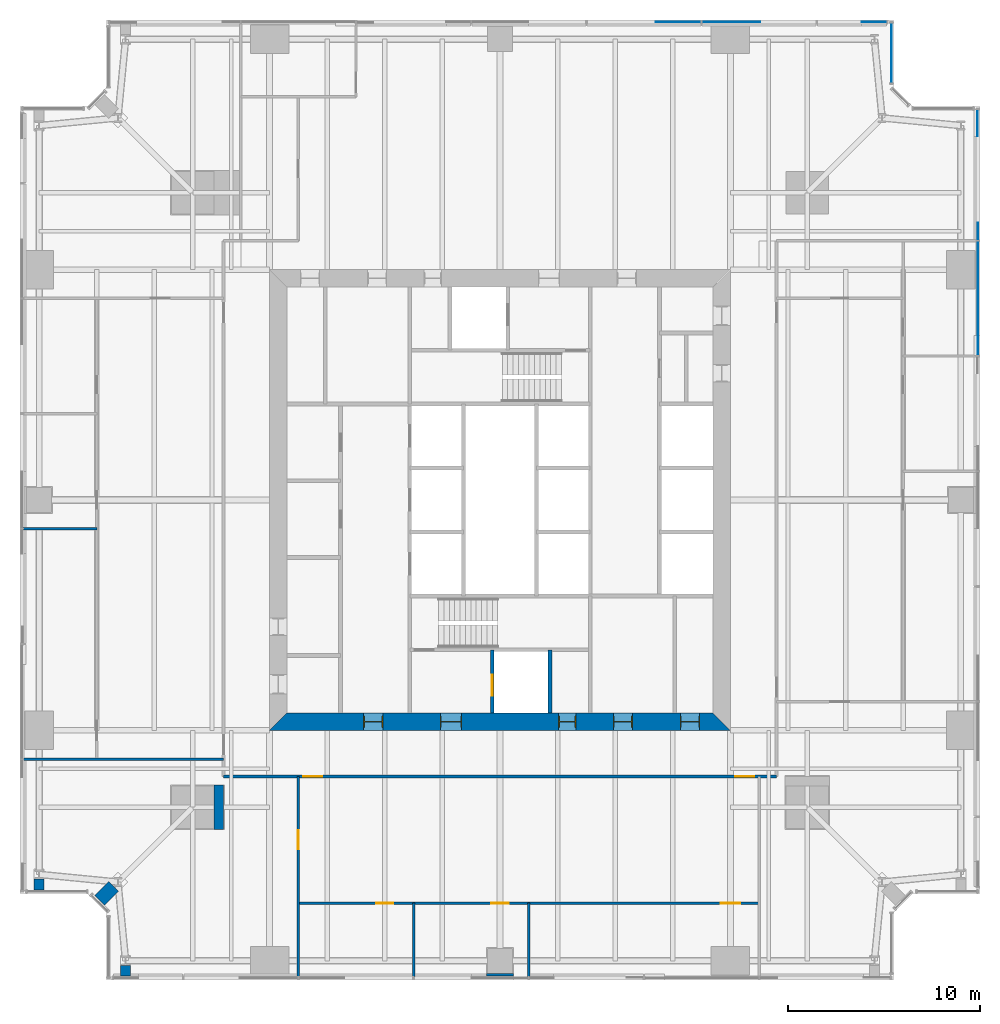
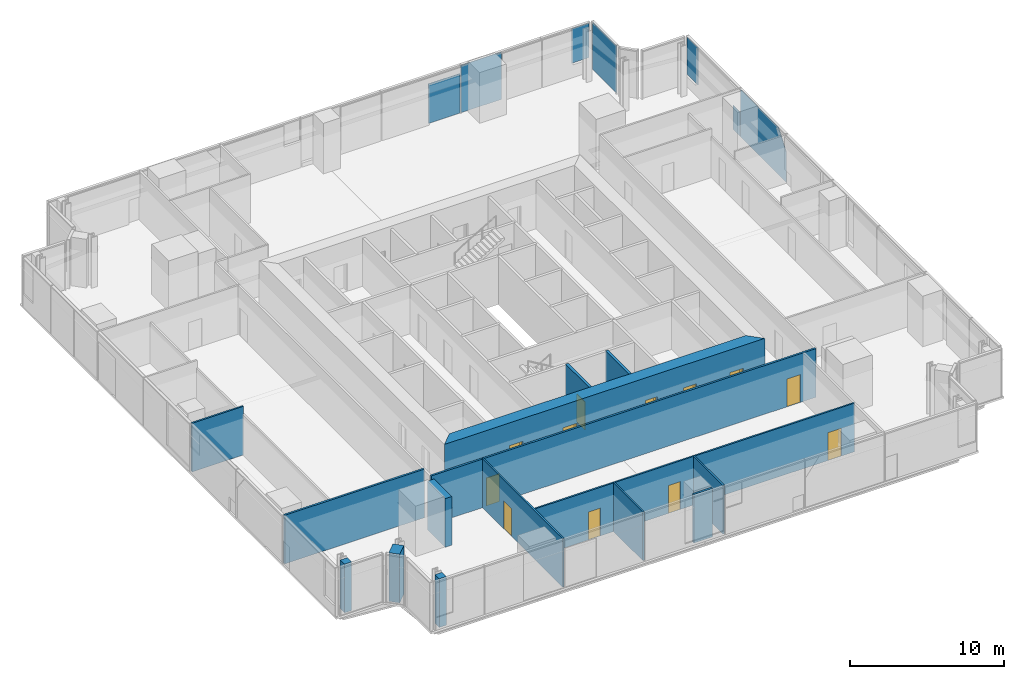
# One storey, part 9 of 14: 15 walls, 12 doors, 7 plates, 12 openings, 3 elements without a shape of their own.
"""IFC4 building model written with IfcOpenShell, lengths in metres."""

from ifc_helpers import new_model, si_unit, direction, frame, frame_2d, origin, origin_2d, place, context, subcontext, project, spatial, polyline, rectangle, outline, extrude, material, layer, layer_set, type_object, element, fill, aggregate, save


model = new_model("IFC4")

# Units and contexts
model_context = context("Model", 3, precision=1e-05, world=origin(), true_north=direction((0.0, 1.0)))
body_context = subcontext(model_context, "Body", "Model", "MODEL_VIEW")
ifc_project = project(units=[si_unit("LENGTHUNIT", "METRE"), si_unit("AREAUNIT", "SQUARE_METRE"), si_unit("VOLUMEUNIT", "CUBIC_METRE"), si_unit("PLANEANGLEUNIT", "RADIAN"), si_unit("MASSUNIT", "GRAM", prefix="KILO")], contexts=[model_context])

# Site, building, storey
site_placement = place(None, origin())
site = spatial("IfcSite", under=ifc_project, at=site_placement, CompositionType="ELEMENT")
building_placement = place(site_placement, origin())
building = spatial("IfcBuilding", under=site, at=building_placement, Name="Fenwick Lantern Interchange", CompositionType="ELEMENT")
storey_placement = place(building_placement, frame((0.0, 0.0, 150.39990234375)))
storey = spatial("IfcBuildingStorey", under=building, at=storey_placement, Name="L35", CompositionType="ELEMENT", Elevation=150.39990234375)

# Curtain wall, plates
ifc_material_1 = material(Name="Aluminium curtain wall frame", Category="aluminium")
curtain_wall_type = type_object("IfcCurtainWallType", Name="OFFICE CURTAIN WALL", PredefinedType="USERDEFINED", material=ifc_material_1)
curtain_wall_1_placement = place(storey_placement, origin())
curtain_wall_1 = element("IfcCurtainWall", 1, at=curtain_wall_1_placement, inside=storey, type_object=curtain_wall_type, Name="Office curtain wall 05", ObjectType="OFFICE CURTAIN WALL", PredefinedType="USERDEFINED")
ifc_material_2 = material(Name="Vision glass, clear low-iron double glazed", Category="glass")
ifc_layer_1 = layer(ifc_material_2, 0.031982421875)
ifc_layer_set_1 = layer_set([ifc_layer_1], Name="OFFICE CURTAIN WALL PANEL 32")
plate_type = type_object("IfcPlateType", Name="OFFICE CURTAIN WALL PANEL 32", PredefinedType="CURTAIN_PANEL", material=ifc_layer_set_1)
plate_1_placement = place(storey_placement, frame((49.89990234375, 4.60009765625, 0.0), z_axis=(0.0, 0.0, 1.0), x_axis=(0.0, 1.0, 0.0)))
plate_1 = element("IfcPlate", 2, at=plate_1_placement, type_object=plate_type, Name="L35/CW/05/P05a", PredefinedType="CURTAIN_PANEL", context=body_context, shape_type="SweptSolid", body=[
    extrude(outline(polyline([(27.9326171875, 0.0), (33.867431640625, 0.0), (33.867431640625, 3.75), (28.96826171875, 3.75), (27.9326171875, 2.37890625), (27.9326171875, 0.0)])), frame((0.0, 0.01611328125, 0.0), z_axis=(0.0, -1.0, 0.0), x_axis=(1.0, 0.0, 0.0)), (0.0, 0.0, 1.0), 0.031982421875),
])
plate_2_placement = place(storey_placement, frame((49.89990234375, 4.60009765625, 0.0), z_axis=(0.0, 0.0, 1.0), x_axis=(0.0, 1.0, 0.0)))
plate_2 = element("IfcPlate", 3, at=plate_2_placement, type_object=plate_type, Name="L35/CW/05/P06a", PredefinedType="CURTAIN_PANEL", context=body_context, shape_type="SweptSolid", body=[
    extrude(outline(polyline([(33.9326171875, 0.0), (34.83251953125, 0.0), (34.83251953125, 1.9111328125), (33.9326171875, 1.9111328125), (33.9326171875, 0.0)])), frame((0.0, 0.01611328125, 0.0), z_axis=(0.0, -1.0, 0.0), x_axis=(1.0, 0.0, 0.0)), (0.0, 0.0, 1.0), 0.031982421875),
])
plate_3_placement = place(storey_placement, frame((49.89990234375, 4.60009765625, 0.79541015625), z_axis=(0.0, 0.0, 1.0), x_axis=(0.0, 1.0, 0.0)))
plate_3 = element("IfcPlate", 4, at=plate_3_placement, type_object=plate_type, Name="L35/CW/05/P06b", PredefinedType="CURTAIN_PANEL", context=body_context, shape_type="SweptSolid", body=[
    extrude(outline(polyline([(39.34033203125, 0.0), (40.735107421875, 0.0), (40.735107421875, 2.95458984375), (39.34033203125, 2.95458984375), (39.34033203125, 0.0)])), frame((0.0, 0.0498046875, 0.0), z_axis=(0.0, -1.0, 0.0), x_axis=(1.0, 0.0, 0.0)), (0.0, 0.0, 1.0), 0.031982421875),
])
aggregate(curtain_wall_1, [plate_1, plate_2, plate_3])

# Curtain wall, plate
curtain_wall_2_placement = place(storey_placement, origin())
curtain_wall_2 = element("IfcCurtainWall", 5, at=curtain_wall_2_placement, inside=storey, type_object=curtain_wall_type, Name="Office curtain wall 08", ObjectType="OFFICE CURTAIN WALL", PredefinedType="USERDEFINED")
plate_4_placement = place(storey_placement, frame((45.39990234375, 48.279296875, 0.0), z_axis=(0.0, 0.0, 1.0), x_axis=(0.0, 1.0, 0.0)))
plate_4 = element("IfcPlate", 6, at=plate_4_placement, type_object=plate_type, Name="L35/CW/08/P00", PredefinedType="CURTAIN_PANEL", context=body_context, shape_type="SweptSolid", body=[
    extrude(rectangle(XDim=3.111328125, YDim=0.031982421875, at=origin_2d()), origin(), (0.0, 0.0, 1.0), 3.75),
])
aggregate(curtain_wall_2, [plate_4])

# Curtain wall, plates
curtain_wall_3_placement = place(storey_placement, origin())
curtain_wall_3 = element("IfcCurtainWall", 7, at=curtain_wall_3_placement, inside=storey, type_object=curtain_wall_type, Name="Office curtain wall 09", ObjectType="OFFICE CURTAIN WALL", PredefinedType="USERDEFINED")
plate_5_placement = place(storey_placement, frame((45.39990234375, 49.89990234375, 1.008056640625), z_axis=(0.0, 0.0, 1.0), x_axis=(-1.0, 0.0, 0.0)))
plate_5 = element("IfcPlate", 8, at=plate_5_placement, type_object=plate_type, Name="L35/CW/09/P00a", PredefinedType="CURTAIN_PANEL", context=body_context, shape_type="SweptSolid", body=[
    extrude(outline(polyline([(0.264892578125, 0.0), (1.56005859375, 0.0), (1.56005859375, 2.741943359375), (0.264892578125, 2.741943359375), (0.264892578125, 0.0)])), frame((0.0, 0.01611328125, 0.0), z_axis=(0.0, -1.0, 0.0), x_axis=(1.0, 0.0, 0.0)), (0.0, 0.0, 1.0), 0.031982421875),
])
plate_6_placement = place(storey_placement, frame((45.39990234375, 49.89990234375, 0.0), z_axis=(0.0, 0.0, 1.0), x_axis=(-1.0, 0.0, 0.0)))
plate_6 = element("IfcPlate", 9, at=plate_6_placement, type_object=plate_type, Name="L35/CW/09/P01a", PredefinedType="CURTAIN_PANEL", context=body_context, shape_type="SweptSolid", body=[
    extrude(outline(polyline([(6.835205078125, 0.0), (9.867431640625, 0.0), (9.867431640625, 3.7490234375), (6.835205078125, 3.7490234375), (6.835205078125, 0.0)])), frame((0.0, 0.01611328125, 0.0), z_axis=(0.0, -1.0, 0.0), x_axis=(1.0, 0.0, 0.0)), (0.0, 0.0, 1.0), 0.031982421875),
])
plate_7_placement = place(storey_placement, frame((45.39990234375, 49.89990234375, 0.0), z_axis=(0.0, 0.0, 1.0), x_axis=(-1.0, 0.0, 0.0)))
plate_7 = element("IfcPlate", 10, at=plate_7_placement, type_object=plate_type, Name="L35/CW/09/P02a", PredefinedType="CURTAIN_PANEL", context=body_context, shape_type="SweptSolid", body=[
    extrude(outline(polyline([(9.9326171875, 0.0), (12.297607421875, 0.0), (12.297607421875, 3.133544921875), (9.9326171875, 3.133544921875), (9.9326171875, 0.0)])), frame((0.0, 0.01611328125, 0.0), z_axis=(0.0, -1.0, 0.0), x_axis=(1.0, 0.0, 0.0)), (0.0, 0.0, 1.0), 0.031982421875),
])
aggregate(curtain_wall_3, [plate_5, plate_6, plate_7])

# Walls
ifc_material_3 = material(Name="Fire-rated gypsum board encasement on steel studs, 2 hour", Category="steel")
ifc_layer_2 = layer(ifc_material_3, 1.39990234375)
ifc_layer_set_2 = layer_set([ifc_layer_2], Name="COLUMN PIER 1400")
wall_type_1 = type_object("IfcWallType", Name="COLUMN PIER 1400", PredefinedType="PARTITIONING", material=ifc_layer_set_2)
wall_1_placement = place(storey_placement, frame((25.0, 0.199951171875, 0.0), z_axis=(0.0, 0.0, 1.0), x_axis=(0.0, 1.0, 0.0)))
element("IfcWall", 11, at=wall_1_placement, inside=storey, type_object=wall_type_1, Name="L35/W/PIER/CS3", PredefinedType="PARTITIONING", context=body_context, shape_type="SweptSolid", body=[
    extrude(rectangle(XDim=0.150146484375, YDim=1.39990234375, at=frame_2d((0.0751953125, 0.0))), origin(), (0.0, 0.0, 1.0), 3.85009765625),
])
ifc_layer_3 = layer(ifc_material_3, 2.300048828125)
ifc_layer_set_3 = layer_set([ifc_layer_3], Name="COLUMN PIER 2300")
wall_type_2 = type_object("IfcWallType", Name="COLUMN PIER 2300", PredefinedType="PARTITIONING", material=ifc_layer_set_3)
wall_2_placement = place(storey_placement, frame((10.60009765625, 9.0, 0.0), z_axis=(0.0, 0.0, 1.0), x_axis=(-1.0, 0.0, 0.0)))
element("IfcWall", 12, at=wall_2_placement, inside=storey, type_object=wall_type_2, Name="L35/W/PIER/M1", PredefinedType="PARTITIONING", context=body_context, shape_type="SweptSolid", body=[
    extrude(rectangle(XDim=0.5, YDim=2.300048828125, at=frame_2d((0.25, 0.0))), origin(), (0.0, 0.0, 1.0), 3.85009765625),
])
ifc_layer_4 = layer(ifc_material_3, 0.52392578125)
ifc_layer_set_4 = layer_set([ifc_layer_4], Name="COLUMN PIER 524")
wall_type_3 = type_object("IfcWallType", Name="COLUMN PIER 524", PredefinedType="PARTITIONING", material=ifc_layer_set_4)
for number, where, z_axis, x_axis, name in (
    (13, (5.5, 0.199951171875, 0.0), (0.0, 0.0, 1.0), (0.0, 1.0, 0.0), "L35/W/PIER/CS1"),
    (14, (1.0, 4.699951171875, 0.0), (0.0, 0.0, 1.0), (0.0, 1.0, 0.0), "L35/W/PIER/CW5"),
):
    element("IfcWall", number, at=place(storey_placement, frame(where, z_axis=z_axis, x_axis=x_axis)), inside=storey, type_object=wall_type_3, Name=name, PredefinedType="PARTITIONING", context=body_context, shape_type="SweptSolid", body=[
        extrude(rectangle(XDim=0.5625, YDim=0.52392578125, at=frame_2d((0.28125, 0.0))), origin(), (0.0, 0.0, 1.0), 3.85009765625),
    ])
ifc_layer_5 = layer(ifc_material_3, 0.736083984375)
ifc_layer_set_5 = layer_set([ifc_layer_5], Name="COLUMN PIER 736")
wall_type_4 = type_object("IfcWallType", Name="COLUMN PIER 736", PredefinedType="PARTITIONING", material=ifc_layer_set_5)
wall_3_placement = place(storey_placement, frame((4.141357421875, 4.141357421875, 0.0), z_axis=(0.0, 0.0, 1.0), x_axis=(0.707106781187, 0.707106781187, 0.0)))
element("IfcWall", 15, at=wall_3_placement, inside=storey, type_object=wall_type_4, Name="L35/W/PIER/CWR", PredefinedType="PARTITIONING", context=body_context, shape_type="SweptSolid", body=[
    extrude(rectangle(XDim=1.037841796875, YDim=0.736083984375, at=frame_2d((0.51904296875, 0.0))), origin(), (0.0, 0.0, 1.0), 3.85009765625),
])

# Wall, opening, door
ifc_material_4 = material(Name="Concrete masonry ASTM C90 Grade N", Category="masonry")
ifc_layer_6 = layer(ifc_material_4, 0.199951171875)
ifc_layer_set_6 = layer_set([ifc_layer_6], Name="Concrete masonry ASTM C90 Grade N")
wall_type_5 = type_object("IfcWallType", Name="CORE PARTITION 200", PredefinedType="PARTITIONING", material=ifc_layer_set_6)
wall_4_placement = place(storey_placement, frame((24.60009765625, 13.89990234375, 0.0), z_axis=(0.0, 0.0, 1.0), x_axis=(0.0, 1.0, 0.0)))
wall_4 = element("IfcWall", 16, at=wall_4_placement, inside=storey, type_object=wall_type_5, Name="L35/W/CORES/h1", PredefinedType="PARTITIONING", context=body_context, shape_type="SweptSolid", body=[
    extrude(rectangle(XDim=3.300048828125, YDim=0.199951171875, at=frame_2d((1.64990234375, 0.0))), origin(), (0.0, 0.0, 1.0), 3.800048828125),
])
opening_1_placement = place(wall_4_placement, frame((0.89990234375, 0.0, 0.0)))
opening_1 = element("IfcOpeningElement", 17, at=opening_1_placement, cuts=wall_4, Name="Opening LD-FL1", PredefinedType="OPENING", context=body_context, shape_type="SweptSolid", body=[
    extrude(rectangle(XDim=1.10009765625, YDim=2.199951171875, at=frame_2d((0.550048828125, 1.10009765625))), frame((0.0, 0.10986328125, 0.0), z_axis=(0.0, -1.0, 0.0), x_axis=(1.0, 0.0, 0.0)), (0.0, 0.0, 1.0), 0.219970703125),
])
ifc_material_5 = material(Name="Steel door and frame", Category="steel")
door_type_1 = type_object("IfcDoorType", Name="LIFT LANDING DOOR 1100 X 2200", OperationType="DOUBLE_DOOR_SLIDING", PredefinedType="DOOR", material=ifc_material_5)
door_1_placement = place(opening_1_placement, origin())
door_1 = element("IfcDoor", 18, at=door_1_placement, inside=storey, type_object=door_type_1, Name="Lift landing door FL1", OperationType="DOUBLE_DOOR_SLIDING", OverallHeight=2.199951171875, OverallWidth=1.10009765625, PredefinedType="DOOR", context=body_context, shape_type="SweptSolid", body=[
    extrude(rectangle(XDim=1.10009765625, YDim=2.199951171875, at=frame_2d((0.550048828125, 1.10009765625))), frame((0.0, 0.02490234375, 0.0), z_axis=(0.0, -1.0, 0.0), x_axis=(1.0, 0.0, 0.0)), (0.0, 0.0, 1.0), 0.050048828125),
])
fill(opening_1, door_1)

# Wall
wall_5_placement = place(storey_placement, frame((27.60009765625, 13.89990234375, 0.0), z_axis=(0.0, 0.0, 1.0), x_axis=(0.0, 1.0, 0.0)))
element("IfcWall", 19, at=wall_5_placement, inside=storey, type_object=wall_type_5, Name="L35/W/CORES/h2", PredefinedType="PARTITIONING", context=body_context, shape_type="SweptSolid", body=[
    extrude(rectangle(XDim=3.300048828125, YDim=0.199951171875, at=frame_2d((1.64990234375, 0.0))), origin(), (0.0, 0.0, 1.0), 3.800048828125),
])

# Wall, openings, doors
ifc_material_6 = material(Name="Concrete f'c 70 MPa", Category="concrete")
ifc_layer_7 = layer(ifc_material_6, 0.89990234375)
ifc_layer_set_7 = layer_set([ifc_layer_7], Name="CORE WALL 900")
wall_type_6 = type_object("IfcWallType", Name="CORE WALL 900", PredefinedType="SHEAR", material=ifc_layer_set_7)
wall_6_placement = place(storey_placement, frame((13.0, 13.449951171875, 0.0), z_axis=(0.0, 0.0, 1.0), x_axis=(1.0, 0.0, 0.0)))
wall_6 = element("IfcWall", 20, at=wall_6_placement, inside=storey, type_object=wall_type_6, Name="L35/CORE/S", PredefinedType="SHEAR", context=body_context, shape_type="SweptSolid", body=[
    extrude(outline(polyline([(0.0, -0.449951171875), (24.0, -0.449951171875), (23.10009765625, 0.449951171875), (0.89990234375, 0.449951171875), (0.0, -0.449951171875)])), origin(), (0.0, 0.0, 1.0), 4.0),
])
opening_2_placement = place(wall_6_placement, frame((4.89990234375, 0.0, 0.0)))
opening_2 = element("IfcOpeningElement", 21, at=opening_2_placement, cuts=wall_6, Name="Opening L35-D001", PredefinedType="OPENING", context=body_context, shape_type="SweptSolid", body=[
    extrude(rectangle(XDim=1.0, YDim=2.199951171875, at=frame_2d((0.5, 1.10009765625))), frame((0.0, 0.4599609375, 0.0), z_axis=(0.0, -1.0, 0.0), x_axis=(1.0, 0.0, 0.0)), (0.0, 0.0, 1.0), 0.919921875),
])
opening_3_placement = place(wall_6_placement, frame((8.89990234375, 0.0, 0.0)))
opening_3 = element("IfcOpeningElement", 22, at=opening_3_placement, cuts=wall_6, Name="Opening L35-D002", PredefinedType="OPENING", context=body_context, shape_type="SweptSolid", body=[
    extrude(rectangle(XDim=1.10009765625, YDim=2.199951171875, at=frame_2d((0.550048828125, 1.10009765625))), frame((0.0, 0.4599609375, 0.0), z_axis=(0.0, -1.0, 0.0), x_axis=(1.0, 0.0, 0.0)), (0.0, 0.0, 1.0), 0.919921875),
])
opening_4_placement = place(wall_6_placement, frame((15.050048828125, 0.0, 0.0)))
opening_4 = element("IfcOpeningElement", 23, at=opening_4_placement, cuts=wall_6, Name="Opening L35-D004", PredefinedType="OPENING", context=body_context, shape_type="SweptSolid", body=[
    extrude(rectangle(XDim=0.89990234375, YDim=2.199951171875, at=frame_2d((0.449951171875, 1.10009765625))), frame((0.0, 0.4599609375, 0.0), z_axis=(0.0, -1.0, 0.0), x_axis=(1.0, 0.0, 0.0)), (0.0, 0.0, 1.0), 0.919921875),
])
opening_5_placement = place(wall_6_placement, frame((17.89990234375, 0.0, 0.0)))
opening_5 = element("IfcOpeningElement", 24, at=opening_5_placement, cuts=wall_6, Name="Opening L35-D005", PredefinedType="OPENING", context=body_context, shape_type="SweptSolid", body=[
    extrude(rectangle(XDim=1.0, YDim=2.199951171875, at=frame_2d((0.5, 1.10009765625))), frame((0.0, 0.4599609375, 0.0), z_axis=(0.0, -1.0, 0.0), x_axis=(1.0, 0.0, 0.0)), (0.0, 0.0, 1.0), 0.919921875),
])
opening_6_placement = place(wall_6_placement, frame((21.39990234375, 0.0, 0.0)))
opening_6 = element("IfcOpeningElement", 25, at=opening_6_placement, cuts=wall_6, Name="Opening L35-D006", PredefinedType="OPENING", context=body_context, shape_type="SweptSolid", body=[
    extrude(rectangle(XDim=1.0, YDim=2.199951171875, at=frame_2d((0.5, 1.10009765625))), frame((0.0, 0.4599609375, 0.0), z_axis=(0.0, -1.0, 0.0), x_axis=(1.0, 0.0, 0.0)), (0.0, 0.0, 1.0), 0.919921875),
])
door_type_2 = type_object("IfcDoorType", Name="CORE LOBBY DOOR 1000 X 2200", OperationType="SINGLE_SWING_LEFT", PredefinedType="DOOR", material=ifc_material_5)
door_2_placement = place(opening_2_placement, origin())
door_2 = element("IfcDoor", 26, at=door_2_placement, inside=storey, type_object=door_type_2, Name="Core lobby door", OperationType="SINGLE_SWING_LEFT", OverallHeight=2.199951171875, OverallWidth=1.0, PredefinedType="DOOR", context=body_context, shape_type="SweptSolid", body=[
    extrude(rectangle(XDim=1.0, YDim=2.199951171875, at=frame_2d((0.5, 1.10009765625))), frame((0.0, 0.02490234375, 0.0), z_axis=(0.0, -1.0, 0.0), x_axis=(1.0, 0.0, 0.0)), (0.0, 0.0, 1.0), 0.050048828125),
    extrude(outline(polyline([(0.0, 0.0), (0.0400390625, 0.0), (0.0400390625, 2.159912109375), (0.9599609375, 2.159912109375), (0.9599609375, 0.0), (1.0, 0.0), (1.0, 2.199951171875), (0.0, 2.199951171875), (0.0, 0.0)])), frame((0.0, 0.300048828125, 0.0), z_axis=(0.0, -1.0, 0.0), x_axis=(1.0, 0.0, 0.0)), (0.0, 0.0, 1.0), 0.60009765625),
])
fill(opening_2, door_2)
door_type_3 = type_object("IfcDoorType", Name="FIRE LOBBY DOOR 1100 X 2200", OperationType="SINGLE_SWING_LEFT", PredefinedType="DOOR", material=ifc_material_5)
door_3_placement = place(opening_3_placement, origin())
door_3 = element("IfcDoor", 27, at=door_3_placement, inside=storey, type_object=door_type_3, Name="Fire lobby door", OperationType="SINGLE_SWING_LEFT", OverallHeight=2.199951171875, OverallWidth=1.10009765625, PredefinedType="DOOR", context=body_context, shape_type="SweptSolid", body=[
    extrude(rectangle(XDim=1.10009765625, YDim=2.199951171875, at=frame_2d((0.550048828125, 1.10009765625))), frame((0.0, 0.02490234375, 0.0), z_axis=(0.0, -1.0, 0.0), x_axis=(1.0, 0.0, 0.0)), (0.0, 0.0, 1.0), 0.050048828125),
    extrude(outline(polyline([(0.0, 0.0), (0.0400390625, 0.0), (0.0400390625, 2.159912109375), (1.06005859375, 2.159912109375), (1.06005859375, 0.0), (1.10009765625, 0.0), (1.10009765625, 2.199951171875), (0.0, 2.199951171875), (0.0, 0.0)])), frame((0.0, 0.300048828125, 0.0), z_axis=(0.0, -1.0, 0.0), x_axis=(1.0, 0.0, 0.0)), (0.0, 0.0, 1.0), 0.60009765625),
])
fill(opening_3, door_3)
door_type_4 = type_object("IfcDoorType", Name="SERVICE DOOR 900 X 2200", OperationType="SINGLE_SWING_LEFT", PredefinedType="DOOR", material=ifc_material_5)
door_4_placement = place(opening_4_placement, origin())
door_4 = element("IfcDoor", 28, at=door_4_placement, inside=storey, type_object=door_type_4, Name="Service door", OperationType="SINGLE_SWING_LEFT", OverallHeight=2.199951171875, OverallWidth=0.89990234375, PredefinedType="DOOR", context=body_context, shape_type="SweptSolid", body=[
    extrude(rectangle(XDim=0.89990234375, YDim=2.199951171875, at=frame_2d((0.449951171875, 1.10009765625))), frame((0.0, 0.02490234375, 0.0), z_axis=(0.0, -1.0, 0.0), x_axis=(1.0, 0.0, 0.0)), (0.0, 0.0, 1.0), 0.050048828125),
    extrude(outline(polyline([(0.0, 0.0), (0.0400390625, 0.0), (0.0400390625, 2.159912109375), (0.85986328125, 2.159912109375), (0.85986328125, 0.0), (0.89990234375, 0.0), (0.89990234375, 2.199951171875), (0.0, 2.199951171875), (0.0, 0.0)])), frame((0.0, 0.300048828125, 0.0), z_axis=(0.0, -1.0, 0.0), x_axis=(1.0, 0.0, 0.0)), (0.0, 0.0, 1.0), 0.60009765625),
])
fill(opening_4, door_4)
ifc_material_7 = material(Name="Hardwood door and steel frame", Category="steel")
door_type_5 = type_object("IfcDoorType", Name="WC DOOR 1000 X 2200", OperationType="SINGLE_SWING_LEFT", PredefinedType="DOOR", material=ifc_material_7)
door_5_placement = place(opening_5_placement, origin())
door_5 = element("IfcDoor", 29, at=door_5_placement, inside=storey, type_object=door_type_5, Name="Wc door", OperationType="SINGLE_SWING_LEFT", OverallHeight=2.199951171875, OverallWidth=1.0, PredefinedType="DOOR", context=body_context, shape_type="SweptSolid", body=[
    extrude(rectangle(XDim=1.0, YDim=2.199951171875, at=frame_2d((0.5, 1.10009765625))), frame((0.0, 0.02490234375, 0.0), z_axis=(0.0, -1.0, 0.0), x_axis=(1.0, 0.0, 0.0)), (0.0, 0.0, 1.0), 0.050048828125),
    extrude(outline(polyline([(0.0, 0.0), (0.0400390625, 0.0), (0.0400390625, 2.159912109375), (0.9599609375, 2.159912109375), (0.9599609375, 0.0), (1.0, 0.0), (1.0, 2.199951171875), (0.0, 2.199951171875), (0.0, 0.0)])), frame((0.0, 0.300048828125, 0.0), z_axis=(0.0, -1.0, 0.0), x_axis=(1.0, 0.0, 0.0)), (0.0, 0.0, 1.0), 0.60009765625),
])
fill(opening_5, door_5)
door_6_placement = place(opening_6_placement, origin())
door_6 = element("IfcDoor", 30, at=door_6_placement, inside=storey, type_object=door_type_5, Name="Wc door", OperationType="SINGLE_SWING_LEFT", OverallHeight=2.199951171875, OverallWidth=1.0, PredefinedType="DOOR", context=body_context, shape_type="SweptSolid", body=[
    extrude(rectangle(XDim=1.0, YDim=2.199951171875, at=frame_2d((0.5, 1.10009765625))), frame((0.0, 0.02490234375, 0.0), z_axis=(0.0, -1.0, 0.0), x_axis=(1.0, 0.0, 0.0)), (0.0, 0.0, 1.0), 0.050048828125),
    extrude(outline(polyline([(0.0, 0.0), (0.0400390625, 0.0), (0.0400390625, 2.159912109375), (0.9599609375, 2.159912109375), (0.9599609375, 0.0), (1.0, 0.0), (1.0, 2.199951171875), (0.0, 2.199951171875), (0.0, 0.0)])), frame((0.0, 0.300048828125, 0.0), z_axis=(0.0, -1.0, 0.0), x_axis=(1.0, 0.0, 0.0)), (0.0, 0.0, 1.0), 0.60009765625),
])
fill(opening_6, door_6)

ifc_material_8 = material(Name="Gypsum board on steel studs, 1 hour", Category="steel")
ifc_layer_8 = layer(ifc_material_8, 0.14990234375)
ifc_layer_set_8 = layer_set([ifc_layer_8], Name="CORRIDOR WALL 150")
wall_type_7 = type_object("IfcWallType", Name="CORRIDOR WALL 150", PredefinedType="PARTITIONING", material=ifc_layer_set_8)
wall_7_placement = place(storey_placement, frame((10.60009765625, 10.60009765625, 0.0), z_axis=(0.0, 0.0, 1.0), x_axis=(1.0, 0.0, 0.0)))
wall_7 = element("IfcWall", 31, at=wall_7_placement, inside=storey, type_object=wall_type_7, Name="L35/W/OFF/S/CW2", PredefinedType="PARTITIONING", context=body_context, shape_type="SweptSolid", body=[
    extrude(rectangle(XDim=28.7998046875, YDim=0.14990234375, at=frame_2d((14.39990234375, 0.0))), origin(), (0.0, 0.0, 1.0), 3.85009765625),
])
opening_7_placement = place(wall_7_placement, frame((4.14990234375, 0.0, 0.0)))
opening_7 = element("IfcOpeningElement", 32, at=opening_7_placement, cuts=wall_7, Name="Opening L35-D020", PredefinedType="OPENING", context=body_context, shape_type="SweptSolid", body=[
    extrude(rectangle(XDim=1.0, YDim=2.199951171875, at=frame_2d((0.5, 1.10009765625))), frame((0.0, 0.0849609375, 0.0), z_axis=(0.0, -1.0, 0.0), x_axis=(1.0, 0.0, 0.0)), (0.0, 0.0, 1.0), 0.169921875),
])
opening_8_placement = place(wall_7_placement, frame((26.64990234375, 0.0, 0.0)))
opening_8 = element("IfcOpeningElement", 33, at=opening_8_placement, cuts=wall_7, Name="Opening L35-D021", PredefinedType="OPENING", context=body_context, shape_type="SweptSolid", body=[
    extrude(rectangle(XDim=1.0, YDim=2.199951171875, at=frame_2d((0.5, 1.10009765625))), frame((0.0, 0.0849609375, 0.0), z_axis=(0.0, -1.0, 0.0), x_axis=(1.0, 0.0, 0.0)), (0.0, 0.0, 1.0), 0.169921875),
])
door_type_6 = type_object("IfcDoorType", Name="SUITE ENTRANCE DOOR 1000 X 2200", OperationType="SINGLE_SWING_LEFT", PredefinedType="DOOR", material=ifc_material_5)
door_7_placement = place(opening_7_placement, origin())
door_7 = element("IfcDoor", 34, at=door_7_placement, inside=storey, type_object=door_type_6, Name="Suite entrance door", OperationType="SINGLE_SWING_LEFT", OverallHeight=2.199951171875, OverallWidth=1.0, PredefinedType="DOOR", context=body_context, shape_type="SweptSolid", body=[
    extrude(rectangle(XDim=1.0, YDim=2.199951171875, at=frame_2d((0.5, 1.10009765625))), frame((0.0, 0.02490234375, 0.0), z_axis=(0.0, -1.0, 0.0), x_axis=(1.0, 0.0, 0.0)), (0.0, 0.0, 1.0), 0.050048828125),
])
fill(opening_7, door_7)
door_8_placement = place(opening_8_placement, origin())
door_8 = element("IfcDoor", 35, at=door_8_placement, inside=storey, type_object=door_type_6, Name="Suite entrance door", OperationType="SINGLE_SWING_RIGHT", OverallHeight=2.199951171875, OverallWidth=1.0, PredefinedType="DOOR", context=body_context, shape_type="SweptSolid", body=[
    extrude(rectangle(XDim=1.0, YDim=2.199951171875, at=frame_2d((0.5, 1.10009765625))), frame((0.0, 0.02490234375, 0.0), z_axis=(0.0, -1.0, 0.0), x_axis=(1.0, 0.0, 0.0)), (0.0, 0.0, 1.0), 0.050048828125),
])
fill(opening_8, door_8)

# Wall, opening, door
ifc_material_9 = material(Name="Gypsum board on steel studs, acoustic", Category="steel")
ifc_layer_9 = layer(ifc_material_9, 0.125)
ifc_layer_set_9 = layer_set([ifc_layer_9], Name="OFFICE PARTITION 125")
wall_type_8 = type_object("IfcWallType", Name="OFFICE PARTITION 125", PredefinedType="PARTITIONING", material=ifc_layer_set_9)
wall_8_placement = place(storey_placement, frame((14.5, 0.14990234375, 0.0), z_axis=(0.0, 0.0, 1.0), x_axis=(0.0, 1.0, 0.0)))
wall_8 = element("IfcWall", 36, at=wall_8_placement, inside=storey, type_object=wall_type_8, Name="L35/W/OFF/S/X145-1", PredefinedType="PARTITIONING", context=body_context, shape_type="SweptSolid", body=[
    extrude(rectangle(XDim=10.4501953125, YDim=0.125, at=frame_2d((5.22509765625, 0.0))), origin(), (0.0, 0.0, 1.0), 3.85009765625),
])
opening_9_placement = place(wall_8_placement, frame((6.64990234375, 0.0, 0.0)))
opening_9 = element("IfcOpeningElement", 37, at=opening_9_placement, cuts=wall_8, Name="Opening L35-D022", PredefinedType="OPENING", context=body_context, shape_type="SweptSolid", body=[
    extrude(rectangle(XDim=1.0, YDim=2.199951171875, at=frame_2d((0.5, 1.10009765625))), frame((0.0, 0.072509765625, 0.0), z_axis=(0.0, -1.0, 0.0), x_axis=(1.0, 0.0, 0.0)), (0.0, 0.0, 1.0), 0.14501953125),
])
door_type_7 = type_object("IfcDoorType", Name="MEETING ROOM DOOR 1000 X 2200", OperationType="SINGLE_SWING_LEFT", PredefinedType="DOOR", material=ifc_material_7)
door_9_placement = place(opening_9_placement, origin())
door_9 = element("IfcDoor", 38, at=door_9_placement, inside=storey, type_object=door_type_7, Name="Meeting room door", OperationType="SINGLE_SWING_RIGHT", OverallHeight=2.199951171875, OverallWidth=1.0, PredefinedType="DOOR", context=body_context, shape_type="SweptSolid", body=[
    extrude(rectangle(XDim=1.0, YDim=2.199951171875, at=frame_2d((0.5, 1.10009765625))), frame((0.0, 0.02490234375, 0.0), z_axis=(0.0, -1.0, 0.0), x_axis=(1.0, 0.0, 0.0)), (0.0, 0.0, 1.0), 0.050048828125),
])
fill(opening_9, door_9)

# Walls
for number, where, z_axis, x_axis, name in (
    (39, (20.5, 0.14990234375, 0.0), (0.0, 0.0, 1.0), (0.0, 1.0, 0.0), "L35/W/OFF/S/X205-1"),
    (40, (26.5, 0.14990234375, 0.0), (0.0, 0.0, 1.0), (0.0, 1.0, 0.0), "L35/W/OFF/S/X265-1"),
):
    element("IfcWall", number, at=place(storey_placement, frame(where, z_axis=z_axis, x_axis=x_axis)), inside=storey, type_object=wall_type_8, Name=name, PredefinedType="PARTITIONING", context=body_context, shape_type="SweptSolid", body=[
        extrude(rectangle(XDim=3.85009765625, YDim=0.125, at=frame_2d((1.925048828125, 0.0))), origin(), (0.0, 0.0, 1.0), 3.85009765625),
    ])

# Wall, openings, doors
wall_9_placement = place(storey_placement, frame((14.5, 4.0, 0.0), z_axis=(0.0, 0.0, 1.0), x_axis=(1.0, 0.0, 0.0)))
wall_9 = element("IfcWall", 41, at=wall_9_placement, inside=storey, type_object=wall_type_8, Name="L35/W/OFF/S/Y40-1", PredefinedType="PARTITIONING", context=body_context, shape_type="SweptSolid", body=[
    extrude(rectangle(XDim=24.0, YDim=0.125, at=frame_2d((12.0, 0.0))), origin(), (0.0, 0.0, 1.0), 3.85009765625),
])
opening_10_placement = place(wall_9_placement, frame((4.050048828125, 0.0, 0.0)))
opening_10 = element("IfcOpeningElement", 42, at=opening_10_placement, cuts=wall_9, Name="Opening L35-D023", PredefinedType="OPENING", context=body_context, shape_type="SweptSolid", body=[
    extrude(rectangle(XDim=0.89990234375, YDim=2.199951171875, at=frame_2d((0.449951171875, 1.10009765625))), frame((0.0, 0.072509765625, 0.0), z_axis=(0.0, -1.0, 0.0), x_axis=(1.0, 0.0, 0.0)), (0.0, 0.0, 1.0), 0.14501953125),
])
opening_11_placement = place(wall_9_placement, frame((10.050048828125, 0.0, 0.0)))
opening_11 = element("IfcOpeningElement", 43, at=opening_11_placement, cuts=wall_9, Name="Opening L35-D024", PredefinedType="OPENING", context=body_context, shape_type="SweptSolid", body=[
    extrude(rectangle(XDim=0.89990234375, YDim=2.199951171875, at=frame_2d((0.449951171875, 1.10009765625))), frame((0.0, 0.072509765625, 0.0), z_axis=(0.0, -1.0, 0.0), x_axis=(1.0, 0.0, 0.0)), (0.0, 0.0, 1.0), 0.14501953125),
])
opening_12_placement = place(wall_9_placement, frame((22.0, 0.0, 0.0)))
opening_12 = element("IfcOpeningElement", 44, at=opening_12_placement, cuts=wall_9, Name="Opening L35-D025", PredefinedType="OPENING", context=body_context, shape_type="SweptSolid", body=[
    extrude(rectangle(XDim=1.0, YDim=2.199951171875, at=frame_2d((0.5, 1.10009765625))), frame((0.0, 0.072509765625, 0.0), z_axis=(0.0, -1.0, 0.0), x_axis=(1.0, 0.0, 0.0)), (0.0, 0.0, 1.0), 0.14501953125),
])
door_10_placement = place(opening_12_placement, frame((1.0, 0.0, 0.0), z_axis=(0.0, 0.0, 1.0), x_axis=(-1.0, 0.0, 0.0)))
door_10 = element("IfcDoor", 45, at=door_10_placement, inside=storey, type_object=door_type_7, Name="Meeting room door", OperationType="SINGLE_SWING_LEFT", OverallHeight=2.199951171875, OverallWidth=1.0, PredefinedType="DOOR", context=body_context, shape_type="SweptSolid", body=[
    extrude(rectangle(XDim=1.0, YDim=2.199951171875, at=frame_2d((0.5, 1.10009765625))), frame((0.0, 0.02490234375, 0.0), z_axis=(0.0, -1.0, 0.0), x_axis=(1.0, 0.0, 0.0)), (0.0, 0.0, 1.0), 0.050048828125),
])
fill(opening_12, door_10)
door_type_8 = type_object("IfcDoorType", Name="OFFICE DOOR 900 X 2200", OperationType="SINGLE_SWING_LEFT", PredefinedType="DOOR", material=ifc_material_7)
door_11_placement = place(opening_10_placement, frame((0.89990234375, 0.0, 0.0), z_axis=(0.0, 0.0, 1.0), x_axis=(-1.0, 0.0, 0.0)))
door_11 = element("IfcDoor", 46, at=door_11_placement, inside=storey, type_object=door_type_8, Name="Office door", OperationType="SINGLE_SWING_LEFT", OverallHeight=2.199951171875, OverallWidth=0.89990234375, PredefinedType="DOOR", context=body_context, shape_type="SweptSolid", body=[
    extrude(rectangle(XDim=0.89990234375, YDim=2.199951171875, at=frame_2d((0.449951171875, 1.10009765625))), frame((0.0, 0.02490234375, 0.0), z_axis=(0.0, -1.0, 0.0), x_axis=(1.0, 0.0, 0.0)), (0.0, 0.0, 1.0), 0.050048828125),
])
fill(opening_10, door_11)
door_12_placement = place(opening_11_placement, frame((0.89990234375, 0.0, 0.0), z_axis=(0.0, 0.0, 1.0), x_axis=(-1.0, 0.0, 0.0)))
door_12 = element("IfcDoor", 47, at=door_12_placement, inside=storey, type_object=door_type_8, Name="Office door", OperationType="SINGLE_SWING_LEFT", OverallHeight=2.199951171875, OverallWidth=0.89990234375, PredefinedType="DOOR", context=body_context, shape_type="SweptSolid", body=[
    extrude(rectangle(XDim=0.89990234375, YDim=2.199951171875, at=frame_2d((0.449951171875, 1.10009765625))), frame((0.0, 0.02490234375, 0.0), z_axis=(0.0, -1.0, 0.0), x_axis=(1.0, 0.0, 0.0)), (0.0, 0.0, 1.0), 0.050048828125),
])
fill(opening_11, door_12)

# Walls
wall_10_placement = place(storey_placement, frame((0.14990234375, 23.5, 0.0), z_axis=(0.0, 0.0, 1.0), x_axis=(1.0, 0.0, 0.0)))
element("IfcWall", 48, at=wall_10_placement, inside=storey, type_object=wall_type_8, Name="L35/W/OFF/W/X265-1", PredefinedType="PARTITIONING", context=body_context, shape_type="SweptSolid", body=[
    extrude(rectangle(XDim=3.85009765625, YDim=0.125, at=frame_2d((1.925048828125, 0.0))), origin(), (0.0, 0.0, 1.0), 3.85009765625),
])
ifc_material_10 = material(Name="Gypsum board on steel studs, 1 hour acoustic", Category="steel")
ifc_layer_10 = layer(ifc_material_10, 0.14990234375)
ifc_layer_set_10 = layer_set([ifc_layer_10], Name="TENANT WALL 150")
wall_type_9 = type_object("IfcWallType", Name="TENANT WALL 150", PredefinedType="PARTITIONING", material=ifc_layer_set_10)
wall_11_placement = place(storey_placement, frame((0.14990234375, 11.5, 0.0), z_axis=(0.0, 0.0, 1.0), x_axis=(1.0, 0.0, 0.0)))
element("IfcWall", 49, at=wall_11_placement, inside=storey, type_object=wall_type_9, Name="L35/W/OFF/S/BACK", PredefinedType="PARTITIONING", context=body_context, shape_type="SweptSolid", body=[
    extrude(rectangle(XDim=10.4501953125, YDim=0.14990234375, at=frame_2d((5.22509765625, 0.0))), origin(), (0.0, 0.0, 1.0), 3.85009765625),
])

save(model, "model.ifc")
